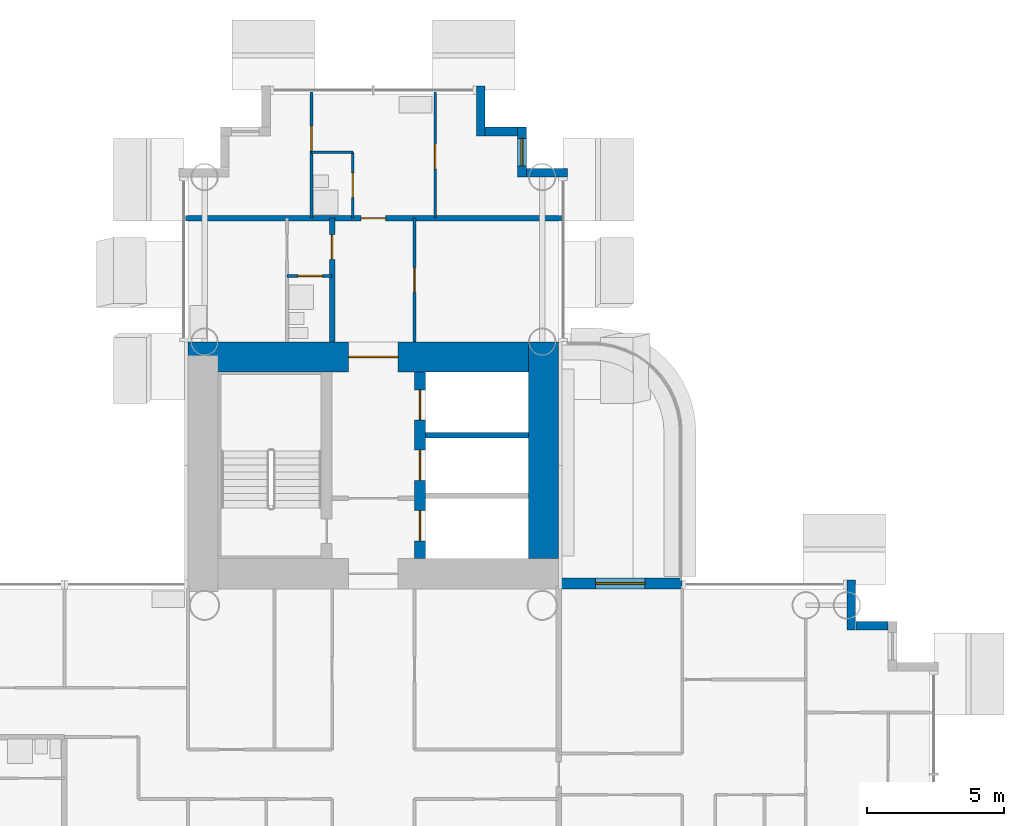
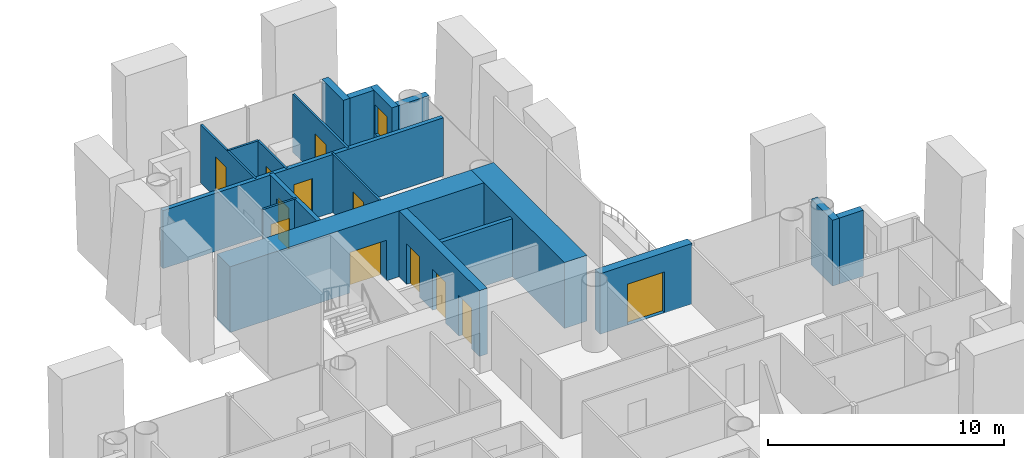
# One storey, part 17 of 25: 19 walls, 12 doors, 1 window, 13 openings.
"""IFC4 building model written with IfcOpenShell, lengths in metres."""

import ifcopenshell
import ifcopenshell.guid

model = None  # the IFC model being written
_history = None  # IfcOwnerHistory: only IFC2X3 demands one
_inside = {}  # id of a spatial element -> (the spatial element, [elements in it])
_under = {}  # id of a project, library or spatial element -> (it, [spatial elements below it])
_declared = {}  # id of a project -> (the project, [libraries it declares])
_typed = {}  # id of a type object -> (the type object, [elements of that type])
_made_of = {}  # id of a material, layer set ... -> (it, [elements and type objects made of it])


def new_model(schema):
    """Start an empty IFC model of exactly this schema.

    Asked for "IFC4X3", IfcOpenShell would pick the latest addendum, in which some entities
    have other attributes; the version numbers below select the first issue.
    IFC2X3 requires an IfcOwnerHistory on every rooted entity: one is made here for all.
    """
    global model, _history
    if schema == "IFC4X3":
        model = ifcopenshell.file(schema_version=(4, 3, 0, 0))
    else:
        model = ifcopenshell.file(schema=schema)
    _inside.clear()
    _under.clear()
    _declared.clear()
    _typed.clear()
    _made_of.clear()
    _history = None
    if model.schema == "IFC2X3":
        org = make("IfcOrganization", Name="unknown")
        user = make(
            "IfcPersonAndOrganization",
            ThePerson=make("IfcPerson", FamilyName="unknown"),
            TheOrganization=org,
        )
        app = make(
            "IfcApplication",
            ApplicationDeveloper=org,
            Version="unknown",
            ApplicationFullName="unknown",
            ApplicationIdentifier="unknown",
        )
        _history = make(
            "IfcOwnerHistory",
            OwningUser=user,
            OwningApplication=app,
            ChangeAction="ADDED",
            CreationDate=0,
        )
    return model


def make(cls, **values):
    """One entity of the class cls with the attributes given. An attribute that is None is left unset."""
    return model.create_entity(
        cls, **{name: value for name, value in values.items() if value is not None}
    )


def rooted(cls, **values):
    """An entity with a GlobalId (a new one), such as an element, a storey or a relation."""
    return make(cls, GlobalId=ifcopenshell.guid.new(), OwnerHistory=_history, **values)


def si_unit(unit_type, name, prefix=None):
    """IfcSIUnit, for example si_unit("LENGTHUNIT", "METRE", prefix="MILLI")."""
    return make("IfcSIUnit", UnitType=unit_type, Prefix=prefix, Name=name)


def assignment(units):
    """IfcUnitAssignment: the units of a project."""
    return None if units is None else make("IfcUnitAssignment", Units=units)


def point(xyz):
    """IfcCartesianPoint."""
    return None if xyz is None else make("IfcCartesianPoint", Coordinates=xyz)


def direction(xyz):
    """IfcDirection."""
    return None if xyz is None else make("IfcDirection", DirectionRatios=xyz)


def frame(location, z_axis=None, x_axis=None):
    """IfcAxis2Placement3D, a coordinate frame: its origin and axes. An axis left out is left unset."""
    return make(
        "IfcAxis2Placement3D",
        Location=point(location),
        Axis=direction(z_axis),
        RefDirection=direction(x_axis),
    )


def frame_2d(location, x_axis=None):
    """IfcAxis2Placement2D, a coordinate frame in the plane: its origin and x axis."""
    return make(
        "IfcAxis2Placement2D", Location=point(location), RefDirection=direction(x_axis)
    )


def origin():
    """The frame at (0, 0, 0) with its axes left unset."""
    return frame((0.0, 0.0, 0.0))


def place(relative_to, where):
    """IfcLocalPlacement: puts the frame where relative to a parent placement (None: the world)."""
    return make(
        "IfcLocalPlacement", PlacementRelTo=relative_to, RelativePlacement=where
    )


def context(
    kind, dimensions, precision=None, world=None, true_north=None, identifier=None
):
    """IfcGeometricRepresentationContext, for example the 3D "Model" context."""
    return make(
        "IfcGeometricRepresentationContext",
        ContextIdentifier=identifier,
        ContextType=kind,
        CoordinateSpaceDimension=dimensions,
        Precision=precision,
        WorldCoordinateSystem=world,
        TrueNorth=true_north,
    )


def subcontext(parent, identifier, kind, view, scale=None):
    """IfcGeometricRepresentationSubContext, for example "Body" below "Model"."""
    return make(
        "IfcGeometricRepresentationSubContext",
        ContextIdentifier=identifier,
        ContextType=kind,
        ParentContext=parent,
        TargetScale=scale,
        TargetView=view,
    )


def project(units=None, contexts=None):
    """IfcProject with its units and contexts."""
    return rooted(
        "IfcProject",
        Name="project",
        RepresentationContexts=contexts,
        UnitsInContext=assignment(units),
    )


def spatial(cls, under=None, at=None, **own):
    """A site, building, storey or space (cls), placed at a placement, below another one or the project."""
    s = rooted(cls, ObjectPlacement=at, **own)
    if under is not None:
        _under.setdefault(under.id(), (under, []))[1].append(s)
    return s


def profile(cls, at=None, kind="AREA", **sizes):
    """A parametric profile (cls). Its sizes go by their IFC names, for example OverallWidth=200.0."""
    return make(cls, ProfileType=kind, Position=at, **sizes)


def rectangle(**sizes):
    """IfcRectangleProfileDef."""
    return profile("IfcRectangleProfileDef", **sizes)


def extrude(swept, where, along, depth):
    """IfcExtrudedAreaSolid: the profile swept, set in the frame where, extruded along a direction by depth."""
    return make(
        "IfcExtrudedAreaSolid",
        SweptArea=swept,
        Position=where,
        ExtrudedDirection=direction(along),
        Depth=depth,
    )


def shape(context_of_items, identifier, shape_type, items):
    """IfcShapeRepresentation: the items that make up one representation, for example the "Body"."""
    return make(
        "IfcShapeRepresentation",
        ContextOfItems=context_of_items,
        RepresentationIdentifier=identifier,
        RepresentationType=shape_type,
        Items=items,
    )


def material(Name=None, Category=None):
    """IfcMaterial."""
    return make("IfcMaterial", Name=Name, Category=Category)


def layer(
    of_material, thickness, ventilated=None, Name=None, Category=None, Priority=None
):
    """IfcMaterialLayer: one layer of a wall or slab, of a material (None: an air gap)."""
    return make(
        "IfcMaterialLayer",
        Material=of_material,
        LayerThickness=thickness,
        IsVentilated=ventilated,
        Name=Name,
        Category=Category,
        Priority=Priority,
    )


def layer_set(layers, Name=None):
    """IfcMaterialLayerSet."""
    return make("IfcMaterialLayerSet", MaterialLayers=layers, LayerSetName=Name)


def made_of(thing, what):
    """Note that an element or type object is made of a material, layer set ...; save() writes the relation."""
    if what is not None:
        _made_of.setdefault(what.id(), (what, []))[1].append(thing)
    return thing


def type_object(cls, material=None, **own):
    """A type object (cls), such as IfcWallType, which elements share."""
    return made_of(rooted(cls, **own), material)


def element(
    cls,
    number,
    at=None,
    inside=None,
    cuts=None,
    type_object=None,
    material=None,
    context=None,
    identifier="Body",
    shape_type=None,
    held_by="IfcProductDefinitionShape",
    body=None,
    shapes=None,
    **own,
):
    """One element of the class cls, such as IfcWall. Its Tag is "e" and its number.

    at: its placement. inside: the storey or other place that contains it. cuts: it is an
    opening in that element (IfcRelVoidsElement). A single representation is given by context,
    identifier, shape_type and body (its items); several are given by shapes. held_by: the class
    of the entity that holds the representations. save() writes the other relations.
    """
    e = rooted(cls, Tag="e%d" % number, ObjectPlacement=at, **own)
    if body is not None:
        shapes = [shape(context, identifier, shape_type, body)]
    if shapes is not None:
        e.Representation = make(held_by, Representations=shapes)
    if inside is not None:
        _inside.setdefault(inside.id(), (inside, []))[1].append(e)
    if cuts is not None:
        rooted(
            "IfcRelVoidsElement", RelatingBuildingElement=cuts, RelatedOpeningElement=e
        )
    if type_object is not None:
        _typed.setdefault(type_object.id(), (type_object, []))[1].append(e)
    return made_of(e, material)


def fill(opening, filler):
    """IfcRelFillsElement: the door or window that sits in an opening."""
    return rooted(
        "IfcRelFillsElement",
        RelatingOpeningElement=opening,
        RelatedBuildingElement=filler,
    )


def aggregate(whole, parts):
    """IfcRelAggregates: a whole, such as a stair, and the parts it consists of."""
    return rooted("IfcRelAggregates", RelatingObject=whole, RelatedObjects=parts)


def save(model, path):
    """Write the relations noted so far, then the file.

    IfcRelAggregates (storeys below a building ...), IfcRelContainedInSpatialStructure (elements
    in a storey), IfcRelDefinesByType, IfcRelAssociatesMaterial and IfcRelDeclares: one each for
    every whole, place, type object, material and project.
    """
    for whole, parts in _under.values():
        aggregate(whole, parts)
    for where, things in _inside.values():
        rooted(
            "IfcRelContainedInSpatialStructure",
            RelatedElements=things,
            RelatingStructure=where,
        )
    for kind, things in _typed.values():
        rooted("IfcRelDefinesByType", RelatedObjects=things, RelatingType=kind)
    for what, things in _made_of.values():
        rooted("IfcRelAssociatesMaterial", RelatedObjects=things, RelatingMaterial=what)
    for by, libraries in _declared.values():
        rooted("IfcRelDeclares", RelatingContext=by, RelatedDefinitions=libraries)
    model.write(path)


model = new_model("IFC4")

# Units and contexts
model_context = context("Model", 3, precision=1e-05, world=origin(), true_north=direction((0.0, 1.0)))
body_context = subcontext(model_context, "Body", "Model", "MODEL_VIEW")
ifc_project = project(units=[si_unit("LENGTHUNIT", "METRE"), si_unit("AREAUNIT", "SQUARE_METRE"), si_unit("VOLUMEUNIT", "CUBIC_METRE"), si_unit("PLANEANGLEUNIT", "RADIAN"), si_unit("MASSUNIT", "GRAM", prefix="KILO")], contexts=[model_context])

# Site, building, storey
site_placement = place(None, origin())
site = spatial("IfcSite", under=ifc_project, at=site_placement, CompositionType="ELEMENT")
building_placement = place(site_placement, origin())
building = spatial("IfcBuilding", under=site, at=building_placement, Name="Ipe Terrace Towers", CompositionType="ELEMENT")
storey_placement = place(building_placement, frame((0.0, 0.0, 65.300048828125)))
storey = spatial("IfcBuildingStorey", under=building, at=storey_placement, Name="L17", CompositionType="ELEMENT", Elevation=65.300048828125)

# Wall, opening, door
ifc_material_1 = material(Name="Concrete C40/50 with buff precast cladding", Category="concrete")
ifc_layer_1 = layer(ifc_material_1, 0.39990234375)
ifc_layer_set_1 = layer_set([ifc_layer_1], Name="BALCONY BAY WALL 400")
wall_type_1 = type_object("IfcWallType", Name="BALCONY BAY WALL 400", PredefinedType="STANDARD", material=ifc_layer_set_1)
wall_1_placement = place(storey_placement, frame((47.25, 6.949951171875, -0.02001953125), z_axis=(0.0, 0.0, 1.0), x_axis=(-1.0, 0.0, 0.0)))
wall_1 = element("IfcWall", 1, at=wall_1_placement, inside=storey, type_object=wall_type_1, Name="T2-W-L17-18a wall", PredefinedType="STANDARD", context=body_context, shape_type="SweptSolid", body=[
    extrude(rectangle(XDim=4.5, YDim=0.39990234375, at=frame_2d((2.25, 0.0))), origin(), (0.0, 0.0, 1.0), 3.119873046875),
])
opening_1_placement = place(wall_1_placement, frame((1.35009765625, 0.0, 0.02001953125)))
opening_1 = element("IfcOpeningElement", 2, at=opening_1_placement, cuts=wall_1, Name="Opening T2-D-L17-18", PredefinedType="OPENING", context=body_context, shape_type="SweptSolid", body=[
    extrude(rectangle(XDim=1.800048828125, YDim=2.10009765625, at=frame_2d((0.89990234375, 1.050048828125))), frame((0.0, 0.2099609375, 0.0), z_axis=(0.0, -1.0, 0.0), x_axis=(1.0, 0.0, 0.0)), (0.0, 0.0, 1.0), 0.419921875),
])
ifc_material_2 = material(Name="Aluminium alloy 6063-T6 framed glazed door", Category="aluminium")
door_type_1 = type_object("IfcDoorType", Name="BALCONY DOOR 1800 x 2100 RIGHT", OperationType="SINGLE_SWING_RIGHT", PredefinedType="DOOR", material=ifc_material_2)
door_1_placement = place(opening_1_placement, origin())
door_1 = element("IfcDoor", 3, at=door_1_placement, inside=storey, type_object=door_type_1, Name="DB2 door", OperationType="SINGLE_SWING_RIGHT", OverallHeight=2.10009765625, OverallWidth=1.800048828125, PredefinedType="DOOR", context=body_context, shape_type="SweptSolid", body=[
    extrude(rectangle(XDim=1.800048828125, YDim=2.10009765625, at=frame_2d((0.89990234375, 1.050048828125))), frame((0.0, 0.02490234375, 0.0), z_axis=(0.0, -1.0, 0.0), x_axis=(1.0, 0.0, 0.0)), (0.0, 0.0, 1.0), 0.050048828125),
])
fill(opening_1, door_1)

# Walls
ifc_material_3 = material(Name="Concrete C40/50 with buff precast cladding", Category="concrete")
ifc_layer_2 = layer(ifc_material_3, 0.320068359375)
ifc_layer_set_2 = layer_set([ifc_layer_2], Name="BUFF CLADDING WALL 320")
wall_type_2 = type_object("IfcWallType", Name="BUFF CLADDING WALL 320", PredefinedType="STANDARD", material=ifc_layer_set_2)
wall_2_placement = place(storey_placement, frame((54.75, 5.409912109375, -0.300048828125), z_axis=(0.0, 0.0, 1.0), x_axis=(-1.0, 0.0, 0.0)))
element("IfcWall", 4, at=wall_2_placement, inside=storey, type_object=wall_type_2, Name="T2-W-L17-15a wall", PredefinedType="STANDARD", context=body_context, shape_type="SweptSolid", body=[
    extrude(rectangle(XDim=1.179931640625, YDim=0.320068359375, at=frame_2d((0.58984375, 0.0))), origin(), (0.0, 0.0, 1.0), 3.39990234375),
])
wall_3_placement = place(storey_placement, frame((53.409912109375, 5.25, -0.300048828125), z_axis=(0.0, 0.0, 1.0), x_axis=(0.0, 1.0, 0.0)))
element("IfcWall", 5, at=wall_3_placement, inside=storey, type_object=wall_type_2, Name="T2-W-L17-16a wall", PredefinedType="STANDARD", context=body_context, shape_type="SweptSolid", body=[
    extrude(rectangle(XDim=1.820068359375, YDim=0.320068359375, at=frame_2d((0.91015625, 0.0))), origin(), (0.0, 0.0, 1.0), 3.39990234375),
])
wall_4_placement = place(storey_placement, frame((43.070068359375, 21.909912109375, -0.300048828125), z_axis=(0.0, 0.0, 1.0), x_axis=(-1.0, 0.0, 0.0)))
element("IfcWall", 6, at=wall_4_placement, inside=storey, type_object=wall_type_2, Name="T2-W-L17-21a wall", PredefinedType="STANDARD", context=body_context, shape_type="SweptSolid", body=[
    extrude(rectangle(XDim=1.5, YDim=0.320068359375, at=frame_2d((0.75, 0.0))), origin(), (0.0, 0.0, 1.0), 3.39990234375),
])

# Wall, opening, window
wall_5_placement = place(storey_placement, frame((41.409912109375, 21.75, -0.300048828125), z_axis=(0.0, 0.0, 1.0), x_axis=(0.0, 1.0, 0.0)))
wall_5 = element("IfcWall", 7, at=wall_5_placement, inside=storey, type_object=wall_type_2, Name="T2-W-L17-22a wall", PredefinedType="STANDARD", context=body_context, shape_type="SweptSolid", body=[
    extrude(rectangle(XDim=1.820068359375, YDim=0.320068359375, at=frame_2d((0.91015625, 0.0))), origin(), (0.0, 0.0, 1.0), 3.39990234375),
])
opening_2_placement = place(wall_5_placement, frame((0.409912109375, 0.0, 1.199951171875)))
opening_2 = element("IfcOpeningElement", 8, at=opening_2_placement, cuts=wall_5, Name="Opening T2-W-05-L17-04", PredefinedType="OPENING", context=body_context, shape_type="SweptSolid", body=[
    extrude(rectangle(XDim=1.0, YDim=1.5, at=frame_2d((0.5, 0.75))), frame((0.0, 0.169921875, 0.0), z_axis=(0.0, -1.0, 0.0), x_axis=(1.0, 0.0, 0.0)), (0.0, 0.0, 1.0), 0.340087890625),
])
ifc_material_4 = material(Name="Glass, clear laminated", Category="glass")
window_type = type_object("IfcWindowType", Name="DWELLING WINDOW 1000 x 1500", PartitioningType="SINGLE_PANEL", PredefinedType="WINDOW", material=ifc_material_4)
window_placement = place(opening_2_placement, origin())
window = element("IfcWindow", 9, at=window_placement, inside=storey, type_object=window_type, Name="W-05 window", OverallHeight=1.5, OverallWidth=1.0, PartitioningType="SINGLE_PANEL", PredefinedType="WINDOW", context=body_context, shape_type="SweptSolid", body=[
    extrude(rectangle(XDim=1.0, YDim=1.5, at=frame_2d((0.5, 0.75))), frame((0.0, 0.030029296875, 0.0), z_axis=(0.0, -1.0, 0.0), x_axis=(1.0, 0.0, 0.0)), (0.0, 0.0, 1.0), 0.06005859375),
])
fill(opening_2, window)

# Walls
wall_6_placement = place(storey_placement, frame((41.25, 23.409912109375, -0.300048828125), z_axis=(0.0, 0.0, 1.0), x_axis=(-1.0, 0.0, 0.0)))
element("IfcWall", 10, at=wall_6_placement, inside=storey, type_object=wall_type_2, Name="T2-W-L17-23a wall", PredefinedType="STANDARD", context=body_context, shape_type="SweptSolid", body=[
    extrude(rectangle(XDim=1.179931640625, YDim=0.320068359375, at=frame_2d((0.58984375, 0.0))), origin(), (0.0, 0.0, 1.0), 3.39990234375),
])
wall_7_placement = place(storey_placement, frame((39.909912109375, 23.25, -0.300048828125), z_axis=(0.0, 0.0, 1.0), x_axis=(0.0, 1.0, 0.0)))
element("IfcWall", 11, at=wall_7_placement, inside=storey, type_object=wall_type_2, Name="T2-W-L17-24a wall", PredefinedType="STANDARD", context=body_context, shape_type="SweptSolid", body=[
    extrude(rectangle(XDim=1.820068359375, YDim=0.320068359375, at=frame_2d((0.91015625, 0.0))), origin(), (0.0, 0.0, 1.0), 3.39990234375),
])

# Wall, opening, door
ifc_material_5 = material(Name="Gypsum board partition", Category="plasterboard")
ifc_layer_3 = layer(ifc_material_5, 0.10009765625)
ifc_layer_set_3 = layer_set([ifc_layer_3], Name="Gypsum board partition 100 mm")
wall_type_3 = type_object("IfcWallType", Name="Gypsum board partition 100 mm", PredefinedType="PARTITIONING", material=ifc_layer_set_3)
wall_8_placement = place(storey_placement, frame((34.5, 18.14990234375, 0.0), z_axis=(0.0, 0.0, 1.0), x_axis=(-1.0, 0.0, 0.0)))
wall_8 = element("IfcWall", 12, at=wall_8_placement, inside=storey, type_object=wall_type_3, Name="Gypsum board partition T2 L17 W23", PredefinedType="PARTITIONING", context=body_context, shape_type="SweptSolid", body=[
    extrude(rectangle(XDim=1.64990234375, YDim=0.10009765625, at=frame_2d((0.824951171875, 0.0))), origin(), (0.0, 0.0, 1.0), 3.0),
])
opening_3_placement = place(wall_8_placement, frame((0.35009765625, 0.0, 0.0)))
opening_3 = element("IfcOpeningElement", 13, at=opening_3_placement, cuts=wall_8, Name="Opening T2-Z1E-28", PredefinedType="OPENING", context=body_context, shape_type="SweptSolid", body=[
    extrude(rectangle(XDim=0.89990234375, YDim=2.10009765625, at=frame_2d((0.449951171875, 1.050048828125))), frame((0.0, 0.06005859375, 0.0), z_axis=(0.0, -1.0, 0.0), x_axis=(1.0, 0.0, 0.0)), (0.0, 0.0, 1.0), 0.1201171875),
])
ifc_material_6 = material(Name="Timber door leaf", Category="wood")
door_type_2 = type_object("IfcDoorType", Name="Bathroom door 900 x 2100", OperationType="NOTDEFINED", PredefinedType="DOOR", material=ifc_material_6)
door_2_placement = place(opening_3_placement, origin())
door_2 = element("IfcDoor", 14, at=door_2_placement, inside=storey, type_object=door_type_2, Name="Bathroom door T2-Z1E-28", OperationType="SINGLE_SWING_RIGHT", OverallHeight=2.10009765625, OverallWidth=0.89990234375, PredefinedType="DOOR", context=body_context, shape_type="SweptSolid", body=[
    extrude(rectangle(XDim=0.89990234375, YDim=2.10009765625, at=frame_2d((0.449951171875, 1.050048828125))), frame((0.0, 0.02490234375, 0.0), z_axis=(0.0, -1.0, 0.0), x_axis=(1.0, 0.0, 0.0)), (0.0, 0.0, 1.0), 0.050048828125),
])
fill(opening_3, door_2)

# Wall
wall_9_placement = place(storey_placement, frame((35.25, 22.64990234375, 0.0), z_axis=(0.0, 0.0, 1.0), x_axis=(-1.0, 0.0, 0.0)))
element("IfcWall", 15, at=wall_9_placement, inside=storey, type_object=wall_type_3, Name="Gypsum board partition T2 L17 W25", PredefinedType="PARTITIONING", context=body_context, shape_type="SweptSolid", body=[
    extrude(rectangle(XDim=1.5, YDim=0.10009765625, at=frame_2d((0.75, 0.0))), origin(), (0.0, 0.0, 1.0), 3.0),
])

# Wall, opening, door
wall_10_placement = place(storey_placement, frame((38.25, 20.25, 0.0), z_axis=(0.0, 0.0, 1.0), x_axis=(0.0, 1.0, 0.0)))
wall_10 = element("IfcWall", 16, at=wall_10_placement, inside=storey, type_object=wall_type_3, Name="Gypsum board partition T2 L17 W34", PredefinedType="PARTITIONING", context=body_context, shape_type="SweptSolid", body=[
    extrude(rectangle(XDim=4.60009765625, YDim=0.10009765625, at=frame_2d((2.300048828125, 0.0))), origin(), (0.0, 0.0, 1.0), 3.0),
])
opening_4_placement = place(wall_10_placement, frame((1.800048828125, 0.0, 0.0)))
opening_4 = element("IfcOpeningElement", 17, at=opening_4_placement, cuts=wall_10, Name="Opening T2-Z1E-33", PredefinedType="OPENING", context=body_context, shape_type="SweptSolid", body=[
    extrude(rectangle(XDim=0.89990234375, YDim=2.10009765625, at=frame_2d((0.449951171875, 1.050048828125))), frame((0.0, 0.06005859375, 0.0), z_axis=(0.0, -1.0, 0.0), x_axis=(1.0, 0.0, 0.0)), (0.0, 0.0, 1.0), 0.1201171875),
])
ifc_material_7 = material(Name="Timber door leaf", Category="wood")
door_type_3 = type_object("IfcDoorType", Name="Bedroom door 900 x 2100", OperationType="NOTDEFINED", PredefinedType="DOOR", material=ifc_material_7)
door_3_placement = place(opening_4_placement, origin())
door_3 = element("IfcDoor", 18, at=door_3_placement, inside=storey, type_object=door_type_3, Name="Bedroom door T2-Z1E-33", OperationType="SINGLE_SWING_LEFT", OverallHeight=2.10009765625, OverallWidth=0.89990234375, PredefinedType="DOOR", context=body_context, shape_type="SweptSolid", body=[
    extrude(rectangle(XDim=0.89990234375, YDim=2.10009765625, at=frame_2d((0.449951171875, 1.050048828125))), frame((0.0, 0.02490234375, 0.0), z_axis=(0.0, -1.0, 0.0), x_axis=(1.0, 0.0, 0.0)), (0.0, 0.0, 1.0), 0.050048828125),
])
fill(opening_4, door_3)

wall_11_placement = place(storey_placement, frame((37.5, 15.75, 0.0), z_axis=(0.0, 0.0, 1.0), x_axis=(0.0, 1.0, 0.0)))
wall_11 = element("IfcWall", 19, at=wall_11_placement, inside=storey, type_object=wall_type_3, Name="Gypsum board partition T2 L17 W37", PredefinedType="PARTITIONING", context=body_context, shape_type="SweptSolid", body=[
    extrude(rectangle(XDim=4.5, YDim=0.10009765625, at=frame_2d((2.25, 0.0))), origin(), (0.0, 0.0, 1.0), 3.0),
])
opening_5_placement = place(wall_11_placement, frame((1.800048828125, 0.0, 0.0)))
opening_5 = element("IfcOpeningElement", 20, at=opening_5_placement, cuts=wall_11, Name="Opening T2-Z1E-29", PredefinedType="OPENING", context=body_context, shape_type="SweptSolid", body=[
    extrude(rectangle(XDim=0.89990234375, YDim=2.10009765625, at=frame_2d((0.449951171875, 1.050048828125))), frame((0.0, 0.06005859375, 0.0), z_axis=(0.0, -1.0, 0.0), x_axis=(1.0, 0.0, 0.0)), (0.0, 0.0, 1.0), 0.1201171875),
])
ifc_material_8 = material(Name="Timber door leaf", Category="wood")
door_type_4 = type_object("IfcDoorType", Name="Lounge door 900 x 2100", OperationType="NOTDEFINED", PredefinedType="DOOR", material=ifc_material_8)
door_4_placement = place(opening_5_placement, origin())
door_4 = element("IfcDoor", 21, at=door_4_placement, inside=storey, type_object=door_type_4, Name="Lounge door T2-Z1E-29", OperationType="SINGLE_SWING_RIGHT", OverallHeight=2.10009765625, OverallWidth=0.89990234375, PredefinedType="DOOR", context=body_context, shape_type="SweptSolid", body=[
    extrude(rectangle(XDim=0.89990234375, YDim=2.10009765625, at=frame_2d((0.449951171875, 1.050048828125))), frame((0.0, 0.02490234375, 0.0), z_axis=(0.0, -1.0, 0.0), x_axis=(1.0, 0.0, 0.0)), (0.0, 0.0, 1.0), 0.050048828125),
])
fill(opening_5, door_4)

wall_12_placement = place(storey_placement, frame((35.25, 20.25, 0.0), z_axis=(0.0, 0.0, 1.0), x_axis=(0.0, 1.0, 0.0)))
wall_12 = element("IfcWall", 22, at=wall_12_placement, inside=storey, type_object=wall_type_3, Name="Gypsum board partition T2 L17 W39", PredefinedType="PARTITIONING", context=body_context, shape_type="SweptSolid", body=[
    extrude(rectangle(XDim=2.39990234375, YDim=0.10009765625, at=frame_2d((1.199951171875, 0.0))), origin(), (0.0, 0.0, 1.0), 3.0),
])
opening_6_placement = place(wall_12_placement, frame((0.75, 0.0, 0.0)))
opening_6 = element("IfcOpeningElement", 23, at=opening_6_placement, cuts=wall_12, Name="Opening T2-Z1E-30", PredefinedType="OPENING", context=body_context, shape_type="SweptSolid", body=[
    extrude(rectangle(XDim=0.89990234375, YDim=2.10009765625, at=frame_2d((0.449951171875, 1.050048828125))), frame((0.0, 0.06005859375, 0.0), z_axis=(0.0, -1.0, 0.0), x_axis=(1.0, 0.0, 0.0)), (0.0, 0.0, 1.0), 0.1201171875),
])
door_5_placement = place(opening_6_placement, origin())
door_5 = element("IfcDoor", 24, at=door_5_placement, inside=storey, type_object=door_type_2, Name="Bathroom door T2-Z1E-30", OperationType="SINGLE_SWING_LEFT", OverallHeight=2.10009765625, OverallWidth=0.89990234375, PredefinedType="DOOR", context=body_context, shape_type="SweptSolid", body=[
    extrude(rectangle(XDim=0.89990234375, YDim=2.10009765625, at=frame_2d((0.449951171875, 1.050048828125))), frame((0.0, 0.02490234375, 0.0), z_axis=(0.0, -1.0, 0.0), x_axis=(1.0, 0.0, 0.0)), (0.0, 0.0, 1.0), 0.050048828125),
])
fill(opening_6, door_5)

wall_13_placement = place(storey_placement, frame((33.75, 20.25, 0.0), z_axis=(0.0, 0.0, 1.0), x_axis=(0.0, 1.0, 0.0)))
wall_13 = element("IfcWall", 25, at=wall_13_placement, inside=storey, type_object=wall_type_3, Name="Gypsum board partition T2 L17 W44", PredefinedType="PARTITIONING", context=body_context, shape_type="SweptSolid", body=[
    extrude(rectangle(XDim=4.60009765625, YDim=0.10009765625, at=frame_2d((2.300048828125, 0.0))), origin(), (0.0, 0.0, 1.0), 3.0),
])
opening_7_placement = place(wall_13_placement, frame((2.449951171875, 0.0, 0.0)))
opening_7 = element("IfcOpeningElement", 26, at=opening_7_placement, cuts=wall_13, Name="Opening T2-Z1E-32", PredefinedType="OPENING", context=body_context, shape_type="SweptSolid", body=[
    extrude(rectangle(XDim=0.89990234375, YDim=2.10009765625, at=frame_2d((0.449951171875, 1.050048828125))), frame((0.0, 0.06005859375, 0.0), z_axis=(0.0, -1.0, 0.0), x_axis=(1.0, 0.0, 0.0)), (0.0, 0.0, 1.0), 0.1201171875),
])
door_6_placement = place(opening_7_placement, origin())
door_6 = element("IfcDoor", 27, at=door_6_placement, inside=storey, type_object=door_type_3, Name="Bedroom door T2-Z1E-32", OperationType="SINGLE_SWING_LEFT", OverallHeight=2.10009765625, OverallWidth=0.89990234375, PredefinedType="DOOR", context=body_context, shape_type="SweptSolid", body=[
    extrude(rectangle(XDim=0.89990234375, YDim=2.10009765625, at=frame_2d((0.449951171875, 1.050048828125))), frame((0.0, 0.02490234375, 0.0), z_axis=(0.0, -1.0, 0.0), x_axis=(1.0, 0.0, 0.0)), (0.0, 0.0, 1.0), 0.050048828125),
])
fill(opening_7, door_6)

# Wall
ifc_material_9 = material(Name="Gypsum board party wall", Category="plasterboard")
ifc_layer_4 = layer(ifc_material_9, 0.199951171875)
ifc_layer_set_4 = layer_set([ifc_layer_4], Name="Gypsum board party wall 200 mm")
wall_type_4 = type_object("IfcWallType", Name="Gypsum board party wall 200 mm", PredefinedType="SOLIDWALL", material=ifc_layer_set_4)
wall_14_placement = place(storey_placement, frame((41.64990234375, 12.35009765625, 0.0), z_axis=(0.0, 0.0, 1.0), x_axis=(-1.0, 0.0, 0.0)))
element("IfcWall", 28, at=wall_14_placement, inside=storey, type_object=wall_type_4, Name="Gypsum board party wall T2 L17 t2c1-shaft-div2", PredefinedType="SOLIDWALL", context=body_context, shape_type="SweptSolid", body=[
    extrude(rectangle(XDim=3.75, YDim=0.199951171875, at=frame_2d((1.875, 0.0))), origin(), (0.0, 0.0, 1.0), 3.0),
])

# Wall, opening, door
wall_15_placement = place(storey_placement, frame((42.85009765625, 20.25, 0.0), z_axis=(0.0, 0.0, 1.0), x_axis=(-1.0, 0.0, 0.0)))
wall_15 = element("IfcWall", 29, at=wall_15_placement, inside=storey, type_object=wall_type_4, Name="Gypsum board party wall T2 L17 W24", PredefinedType="SOLIDWALL", context=body_context, shape_type="SweptSolid", body=[
    extrude(rectangle(XDim=13.7001953125, YDim=0.199951171875, at=frame_2d((6.85009765625, 0.0))), origin(), (0.0, 0.0, 1.0), 3.0),
])
opening_8_placement = place(wall_15_placement, frame((6.39990234375, 0.0, 0.0)))
opening_8 = element("IfcOpeningElement", 30, at=opening_8_placement, cuts=wall_15, Name="Opening T2-Z1E-31", PredefinedType="OPENING", context=body_context, shape_type="SweptSolid", body=[
    extrude(rectangle(XDim=0.89990234375, YDim=2.10009765625, at=frame_2d((0.449951171875, 1.050048828125))), frame((0.0, 0.10986328125, 0.0), z_axis=(0.0, -1.0, 0.0), x_axis=(1.0, 0.0, 0.0)), (0.0, 0.0, 1.0), 0.219970703125),
])
ifc_material_10 = material(Name="Fire-rated timber door leaf", Category="wood")
door_type_5 = type_object("IfcDoorType", Name="Flat entrance door 900 x 2100 FD30S", OperationType="NOTDEFINED", PredefinedType="DOOR", material=ifc_material_10)
door_7_placement = place(opening_8_placement, origin())
door_7 = element("IfcDoor", 31, at=door_7_placement, inside=storey, type_object=door_type_5, Name="Flat entrance door T2-Z1E-31", OperationType="SINGLE_SWING_RIGHT", OverallHeight=2.10009765625, OverallWidth=0.89990234375, PredefinedType="DOOR", context=body_context, shape_type="SweptSolid", body=[
    extrude(rectangle(XDim=0.89990234375, YDim=2.10009765625, at=frame_2d((0.449951171875, 1.050048828125))), frame((0.0, 0.02490234375, 0.0), z_axis=(0.0, -1.0, 0.0), x_axis=(1.0, 0.0, 0.0)), (0.0, 0.0, 1.0), 0.050048828125),
])
fill(opening_8, door_7)

wall_16_placement = place(storey_placement, frame((34.5, 15.75, 0.0), z_axis=(0.0, 0.0, 1.0), x_axis=(0.0, 1.0, 0.0)))
wall_16 = element("IfcWall", 32, at=wall_16_placement, inside=storey, type_object=wall_type_4, Name="Gypsum board party wall T2 L17 W43", PredefinedType="SOLIDWALL", context=body_context, shape_type="SweptSolid", body=[
    extrude(rectangle(XDim=4.5, YDim=0.199951171875, at=frame_2d((2.25, 0.0))), origin(), (0.0, 0.0, 1.0), 3.0),
])
opening_9_placement = place(wall_16_placement, frame((3.0, 0.0, 0.0)))
opening_9 = element("IfcOpeningElement", 33, at=opening_9_placement, cuts=wall_16, Name="Opening T2-Z1E-26", PredefinedType="OPENING", context=body_context, shape_type="SweptSolid", body=[
    extrude(rectangle(XDim=0.89990234375, YDim=2.10009765625, at=frame_2d((0.449951171875, 1.050048828125))), frame((0.0, 0.10986328125, 0.0), z_axis=(0.0, -1.0, 0.0), x_axis=(1.0, 0.0, 0.0)), (0.0, 0.0, 1.0), 0.219970703125),
])
door_8_placement = place(opening_9_placement, origin())
door_8 = element("IfcDoor", 34, at=door_8_placement, inside=storey, type_object=door_type_5, Name="Flat entrance door T2-Z1E-26", OperationType="SINGLE_SWING_LEFT", OverallHeight=2.10009765625, OverallWidth=0.89990234375, PredefinedType="DOOR", context=body_context, shape_type="SweptSolid", body=[
    extrude(rectangle(XDim=0.89990234375, YDim=2.10009765625, at=frame_2d((0.449951171875, 1.050048828125))), frame((0.0, 0.02490234375, 0.0), z_axis=(0.0, -1.0, 0.0), x_axis=(1.0, 0.0, 0.0)), (0.0, 0.0, 1.0), 0.050048828125),
])
fill(opening_9, door_8)

# Wall
ifc_material_11 = material(Name="Concrete C60/75", Category="concrete")
ifc_layer_5 = layer(ifc_material_11, 1.10009765625)
ifc_layer_set_5 = layer_set([ifc_layer_5], Name="RW1100 CORE WALL 1100 C60-75")
wall_type_5 = type_object("IfcWallType", Name="RW1100 CORE WALL 1100 C60-75", PredefinedType="SHEAR", material=ifc_layer_set_5)
wall_17_placement = place(storey_placement, frame((42.199951171875, 7.85009765625, 0.0), z_axis=(0.0, 0.0, 1.0), x_axis=(0.0, 1.0, 0.0)))
element("IfcWall", 35, at=wall_17_placement, inside=storey, type_object=wall_type_5, Name="Core wall T2-C1-Z1-W02", PredefinedType="SHEAR", context=body_context, shape_type="SweptSolid", body=[
    extrude(rectangle(XDim=7.89990234375, YDim=1.10009765625, at=frame_2d((3.949951171875, 0.0))), origin(), (0.0, 0.0, 1.0), 3.39990234375),
])

# Wall, opening, door
wall_18_placement = place(storey_placement, frame((41.64990234375, 15.199951171875, 0.0), z_axis=(0.0, 0.0, 1.0), x_axis=(-1.0, 0.0, 0.0)))
wall_18 = element("IfcWall", 36, at=wall_18_placement, inside=storey, type_object=wall_type_5, Name="Core wall T2-C1-Z1-W03", PredefinedType="SHEAR", context=body_context, shape_type="SweptSolid", body=[
    extrude(rectangle(XDim=12.39990234375, YDim=1.10009765625, at=frame_2d((6.199951171875, 0.0))), origin(), (0.0, 0.0, 1.0), 3.39990234375),
])
opening_10_placement = place(wall_18_placement, frame((4.75, 0.0, 0.0)))
opening_10 = element("IfcOpeningElement", 37, at=opening_10_placement, cuts=wall_18, Name="Opening T2C1-FD", PredefinedType="OPENING", context=body_context, shape_type="SweptSolid", body=[
    extrude(rectangle(XDim=1.800048828125, YDim=2.10009765625, at=frame_2d((0.89990234375, 1.050048828125))), frame((0.0, 0.56005859375, 0.0), z_axis=(0.0, -1.0, 0.0), x_axis=(1.0, 0.0, 0.0)), (0.0, 0.0, 1.0), 1.1201171875),
])
ifc_material_12 = material(Name="Fire-rated timber door leaf", Category="wood")
door_type_6 = type_object("IfcDoorType", Name="Fire door 1800 x 2100 FD30S", OperationType="NOTDEFINED", PredefinedType="DOOR", material=ifc_material_12)
door_9_placement = place(opening_10_placement, origin())
door_9 = element("IfcDoor", 38, at=door_9_placement, inside=storey, type_object=door_type_6, Name="Fire door T2C1-FD", OperationType="SINGLE_SWING_LEFT", OverallHeight=2.10009765625, OverallWidth=1.800048828125, PredefinedType="DOOR", context=body_context, shape_type="SweptSolid", body=[
    extrude(rectangle(XDim=1.800048828125, YDim=2.10009765625, at=frame_2d((0.89990234375, 1.050048828125))), frame((0.0, 0.02490234375, 0.0), z_axis=(0.0, -1.0, 0.0), x_axis=(1.0, 0.0, 0.0)), (0.0, 0.0, 1.0), 0.050048828125),
])
fill(opening_10, door_9)

# Wall, openings, doors
ifc_material_13 = material(Name="Concrete C60/75", Category="concrete")
ifc_layer_6 = layer(ifc_material_13, 0.39990234375)
ifc_layer_set_6 = layer_set([ifc_layer_6], Name="RW400 CORE SPINE WALL 400 C60-75")
wall_type_6 = type_object("IfcWallType", Name="RW400 CORE SPINE WALL 400 C60-75", PredefinedType="SHEAR", material=ifc_layer_set_6)
wall_19_placement = place(storey_placement, frame((37.699951171875, 7.85009765625, 0.0), z_axis=(0.0, 0.0, 1.0), x_axis=(0.0, 1.0, 0.0)))
wall_19 = element("IfcWall", 39, at=wall_19_placement, inside=storey, type_object=wall_type_6, Name="Core spine wall T2-C1-Z1-SW2", PredefinedType="SHEAR", context=body_context, shape_type="SweptSolid", body=[
    extrude(rectangle(XDim=6.7998046875, YDim=0.39990234375, at=frame_2d((3.39990234375, 0.0))), origin(), (0.0, 0.0, 1.0), 3.39990234375),
])
opening_11_placement = place(wall_19_placement, frame((0.64990234375, 0.0, 0.0)))
opening_11 = element("IfcOpeningElement", 40, at=opening_11_placement, cuts=wall_19, Name="Opening T2C1-LD1", PredefinedType="OPENING", context=body_context, shape_type="SweptSolid", body=[
    extrude(rectangle(XDim=1.10009765625, YDim=2.10009765625, at=frame_2d((0.550048828125, 1.050048828125))), frame((0.0, 0.2099609375, 0.0), z_axis=(0.0, -1.0, 0.0), x_axis=(1.0, 0.0, 0.0)), (0.0, 0.0, 1.0), 0.419921875),
])
opening_12_placement = place(wall_19_placement, frame((2.85009765625, 0.0, 0.0)))
opening_12 = element("IfcOpeningElement", 41, at=opening_12_placement, cuts=wall_19, Name="Opening T2C1-LD2", PredefinedType="OPENING", context=body_context, shape_type="SweptSolid", body=[
    extrude(rectangle(XDim=1.10009765625, YDim=2.10009765625, at=frame_2d((0.550048828125, 1.050048828125))), frame((0.0, 0.2099609375, 0.0), z_axis=(0.0, -1.0, 0.0), x_axis=(1.0, 0.0, 0.0)), (0.0, 0.0, 1.0), 0.419921875),
])
opening_13_placement = place(wall_19_placement, frame((5.050048828125, 0.0, 0.0)))
opening_13 = element("IfcOpeningElement", 42, at=opening_13_placement, cuts=wall_19, Name="Opening T2C1-LD3", PredefinedType="OPENING", context=body_context, shape_type="SweptSolid", body=[
    extrude(rectangle(XDim=1.10009765625, YDim=2.10009765625, at=frame_2d((0.550048828125, 1.050048828125))), frame((0.0, 0.2099609375, 0.0), z_axis=(0.0, -1.0, 0.0), x_axis=(1.0, 0.0, 0.0)), (0.0, 0.0, 1.0), 0.419921875),
])
ifc_material_14 = material(Name="Fire-rated timber door leaf", Category="wood")
door_type_7 = type_object("IfcDoorType", Name="Sliding door 1100 x 2100 FD60", OperationType="SLIDING_TO_LEFT", PredefinedType="DOOR", material=ifc_material_14)
door_10_placement = place(opening_11_placement, origin())
door_10 = element("IfcDoor", 43, at=door_10_placement, inside=storey, type_object=door_type_7, Name="Sliding door T2C1-LD1", OperationType="SLIDING_TO_LEFT", OverallHeight=2.10009765625, OverallWidth=1.10009765625, PredefinedType="DOOR", context=body_context, shape_type="SweptSolid", body=[
    extrude(rectangle(XDim=1.10009765625, YDim=2.10009765625, at=frame_2d((0.550048828125, 1.050048828125))), frame((0.0, 0.02490234375, 0.0), z_axis=(0.0, -1.0, 0.0), x_axis=(1.0, 0.0, 0.0)), (0.0, 0.0, 1.0), 0.050048828125),
])
fill(opening_11, door_10)
door_11_placement = place(opening_12_placement, origin())
door_11 = element("IfcDoor", 44, at=door_11_placement, inside=storey, type_object=door_type_7, Name="Sliding door T2C1-LD2", OperationType="SLIDING_TO_LEFT", OverallHeight=2.10009765625, OverallWidth=1.10009765625, PredefinedType="DOOR", context=body_context, shape_type="SweptSolid", body=[
    extrude(rectangle(XDim=1.10009765625, YDim=2.10009765625, at=frame_2d((0.550048828125, 1.050048828125))), frame((0.0, 0.02490234375, 0.0), z_axis=(0.0, -1.0, 0.0), x_axis=(1.0, 0.0, 0.0)), (0.0, 0.0, 1.0), 0.050048828125),
])
fill(opening_12, door_11)
door_12_placement = place(opening_13_placement, origin())
door_12 = element("IfcDoor", 45, at=door_12_placement, inside=storey, type_object=door_type_7, Name="Sliding door T2C1-LD3", OperationType="SLIDING_TO_LEFT", OverallHeight=2.10009765625, OverallWidth=1.10009765625, PredefinedType="DOOR", context=body_context, shape_type="SweptSolid", body=[
    extrude(rectangle(XDim=1.10009765625, YDim=2.10009765625, at=frame_2d((0.550048828125, 1.050048828125))), frame((0.0, 0.02490234375, 0.0), z_axis=(0.0, -1.0, 0.0), x_axis=(1.0, 0.0, 0.0)), (0.0, 0.0, 1.0), 0.050048828125),
])
fill(opening_13, door_12)

save(model, "model.ifc")
